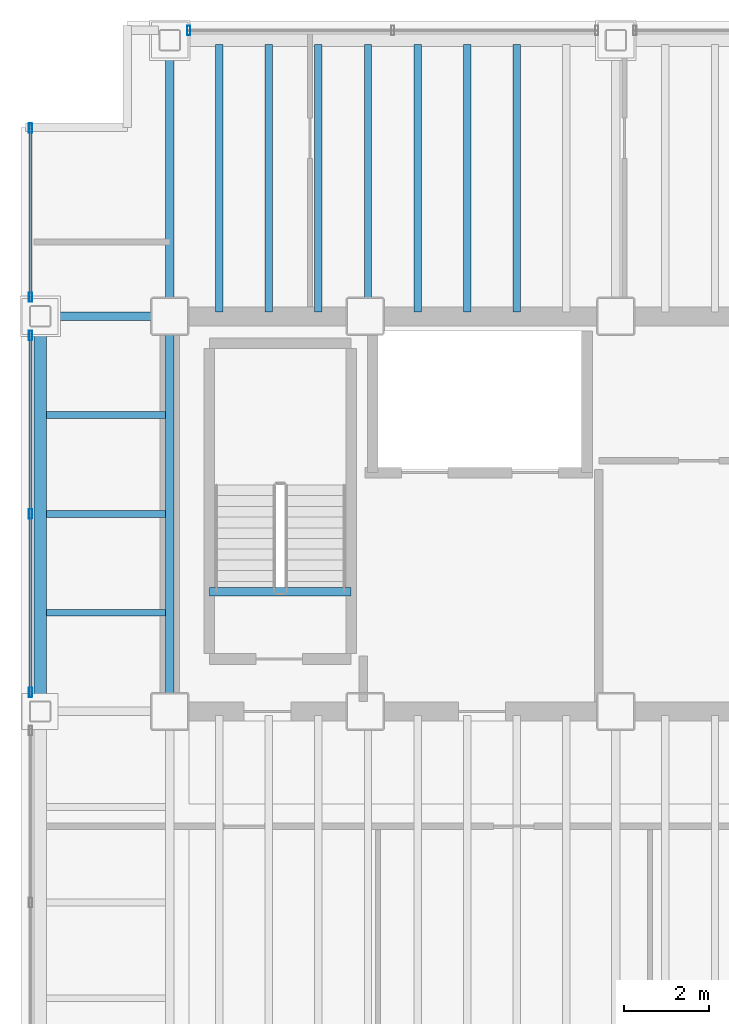
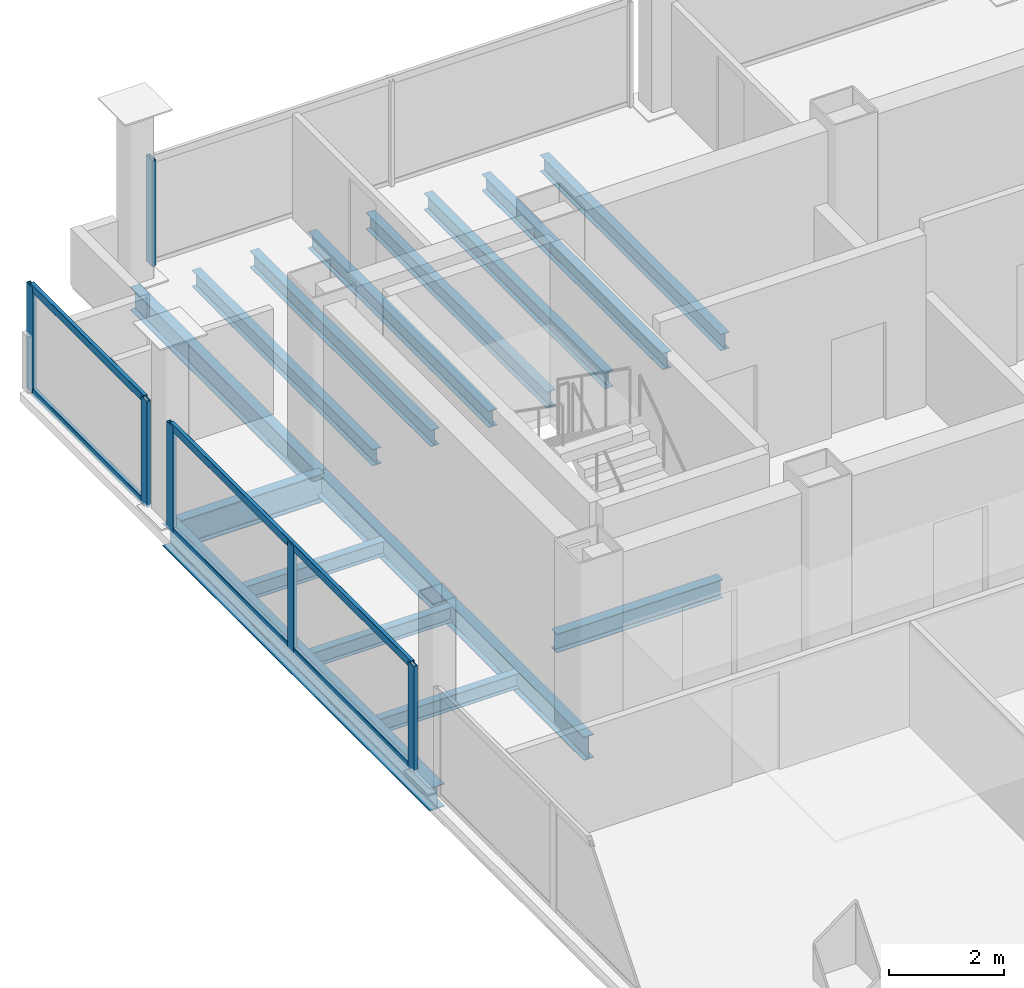
# One storey, part 6 of 16: 15 beams, 10 members, 3 elements without a shape of their own.
"""IFC4 building model written with IfcOpenShell, lengths in metres."""

from ifc_helpers import new_model, si_unit, direction, frame, origin, origin_2d, place, context, subcontext, project, spatial, hollow_rectangle, i_section, extrude, material, material_profile, profile_set, type_object, element, aggregate, save


model = new_model("IFC4")

# Units and contexts
model_context = context("Model", 3, precision=1e-05, world=origin(), true_north=direction((0.0, 1.0)))
body_context = subcontext(model_context, "Body", "Model", "MODEL_VIEW")
ifc_project = project(units=[si_unit("LENGTHUNIT", "METRE"), si_unit("AREAUNIT", "SQUARE_METRE"), si_unit("VOLUMEUNIT", "CUBIC_METRE"), si_unit("PLANEANGLEUNIT", "RADIAN"), si_unit("MASSUNIT", "GRAM", prefix="KILO")], contexts=[model_context])

# Site, building, storey
site_placement = place(None, origin())
site = spatial("IfcSite", under=ifc_project, at=site_placement, CompositionType="ELEMENT")
building_placement = place(site_placement, origin())
building = spatial("IfcBuilding", under=site, at=building_placement, Name="Noeulbin Bourse Tower", CompositionType="ELEMENT")
storey_placement = place(building_placement, frame((0.0, 0.0, 192.89990234375)))
storey = spatial("IfcBuildingStorey", under=building, at=storey_placement, Name="L48", CompositionType="ELEMENT", Elevation=192.89990234375)

# Beams
ifc_material_1 = material(Name="Steel S355", Category="steel")
ifc_material_profile_1 = material_profile(ifc_material_1, i_section(OverallWidth=0.199951171875, OverallDepth=0.5, WebThickness=0.010009765625, FlangeThickness=0.01611328125, FilletRadius=0.02001953125, at=origin_2d()), Name="H-500x200x10x16", Category="LoadBearing")
ifc_profile_set_1 = profile_set([ifc_material_profile_1], Name="Steel S355")
beam_type_1 = type_object("IfcBeamType", Name="BM-GRD-500", PredefinedType="USERDEFINED", material=ifc_profile_set_1)
beam_1_placement = place(storey_placement, frame((13.5, 29.0, -0.429931640625), z_axis=(0.0, 1.0, 0.0), x_axis=(-1.0, 0.0, 0.0)))
element("IfcBeam", 1, at=beam_1_placement, inside=storey, type_object=beam_type_1, Name="Tower Primary Girder NS L48-1.3", ObjectType="GIRDER", PredefinedType="USERDEFINED", context=body_context, shape_type="SweptSolid", body=[
    extrude(i_section(OverallWidth=0.199951171875, OverallDepth=0.5, WebThickness=0.010009765625, FlangeThickness=0.01611328125, FilletRadius=0.02001953125, at=origin_2d()), origin(), (0.0, 0.0, 1.0), 9.300048828125),
])
beam_2_placement = place(storey_placement, frame((13.5, 38.300048828125, -0.429931640625), z_axis=(0.0, 1.0, 0.0), x_axis=(-1.0, 0.0, 0.0)))
element("IfcBeam", 2, at=beam_2_placement, inside=storey, type_object=beam_type_1, Name="Tower Primary Girder NS L48-1.4", ObjectType="GIRDER", PredefinedType="USERDEFINED", context=body_context, shape_type="SweptSolid", body=[
    extrude(i_section(OverallWidth=0.199951171875, OverallDepth=0.5, WebThickness=0.010009765625, FlangeThickness=0.01611328125, FilletRadius=0.02001953125, at=origin_2d()), origin(), (0.0, 0.0, 1.0), 6.5),
])
ifc_material_profile_2 = material_profile(ifc_material_1, i_section(OverallWidth=0.199951171875, OverallDepth=0.60009765625, WebThickness=0.010986328125, FlangeThickness=0.01708984375, FilletRadius=0.02197265625, at=origin_2d()), Name="H-600x200x11x17", Category="LoadBearing")
ifc_profile_set_2 = profile_set([ifc_material_profile_2], Name="Steel S355")
beam_type_2 = type_object("IfcBeamType", Name="BM-GRD-600", PredefinedType="USERDEFINED", material=ifc_profile_set_2)
beam_3_placement = place(storey_placement, frame((10.449951171875, 38.300048828125, -0.47998046875), z_axis=(1.0, 0.0, 0.0), x_axis=(0.0, 1.0, 0.0)))
element("IfcBeam", 3, at=beam_3_placement, inside=storey, type_object=beam_type_2, Name="Tower Primary Girder EW L48-3.1", ObjectType="GIRDER", PredefinedType="USERDEFINED", context=body_context, shape_type="SweptSolid", body=[
    extrude(i_section(OverallWidth=0.199951171875, OverallDepth=0.60009765625, WebThickness=0.010986328125, FlangeThickness=0.01708984375, FilletRadius=0.02197265625, at=origin_2d()), origin(), (0.0, 0.0, 1.0), 3.050048828125),
])
ifc_material_profile_3 = material_profile(ifc_material_1, i_section(OverallWidth=0.159912109375, OverallDepth=0.320068359375, WebThickness=0.006591796875, FlangeThickness=0.010009765625, FilletRadius=0.012939453125, at=origin_2d()), Name="H-320x160x6.5x10", Category="LoadBearing")
ifc_profile_set_3 = profile_set([ifc_material_profile_3], Name="Steel S355")
beam_type_3 = type_object("IfcBeamType", Name="BM-JST-320", PredefinedType="JOIST", material=ifc_profile_set_3)
for number, where, z_axis, x_axis, name in (
    (4, (10.60009765625, 31.324951171875, -0.33984375), (1.0, 0.0, 0.0), (0.0, 1.0, 0.0), "Wing Composite Joist L48-W70"),
    (5, (10.60009765625, 33.64990234375, -0.33984375), (1.0, 0.0, 0.0), (0.0, 1.0, 0.0), "Wing Composite Joist L48-W71"),
    (6, (10.60009765625, 35.97509765625, -0.33984375), (1.0, 0.0, 0.0), (0.0, 1.0, 0.0), "Wing Composite Joist L48-W72"),
):
    element("IfcBeam", number, at=place(storey_placement, frame(where, z_axis=z_axis, x_axis=x_axis)), inside=storey, type_object=beam_type_3, Name=name, PredefinedType="JOIST", context=body_context, shape_type="SweptSolid", body=[
        extrude(i_section(OverallWidth=0.159912109375, OverallDepth=0.320068359375, WebThickness=0.006591796875, FlangeThickness=0.010009765625, FilletRadius=0.012939453125, at=origin_2d()), origin(), (0.0, 0.0, 1.0), 2.7998046875),
    ])
ifc_material_profile_4 = material_profile(ifc_material_1, i_section(OverallWidth=0.175048828125, OverallDepth=0.35009765625, WebThickness=0.007080078125, FlangeThickness=0.010986328125, FilletRadius=0.013916015625, at=origin_2d()), Name="H-350x175x7x11", Category="LoadBearing")
ifc_profile_set_4 = profile_set([ifc_material_profile_4], Name="Steel S355")
beam_type_4 = type_object("IfcBeamType", Name="BM-JST-350", PredefinedType="JOIST", material=ifc_profile_set_4)
for number, where, z_axis, x_axis, name in (
    (7, (14.666748046875, 38.39990234375, -0.35498046875), (0.0, 1.0, 0.0), (-1.0, 0.0, 0.0), "Tower Composite Joist L48-03"),
    (8, (15.833251953125, 38.39990234375, -0.35498046875), (0.0, 1.0, 0.0), (-1.0, 0.0, 0.0), "Tower Composite Joist L48-06"),
    (9, (17.0, 38.39990234375, -0.35498046875), (0.0, 1.0, 0.0), (-1.0, 0.0, 0.0), "Tower Composite Joist L48-09"),
    (10, (18.166748046875, 38.39990234375, -0.35498046875), (0.0, 1.0, 0.0), (-1.0, 0.0, 0.0), "Tower Composite Joist L48-12"),
    (11, (19.333251953125, 38.39990234375, -0.35498046875), (0.0, 1.0, 0.0), (-1.0, 0.0, 0.0), "Tower Composite Joist L48-15"),
    (12, (20.5, 38.39990234375, -0.35498046875), (0.0, 1.0, 0.0), (-1.0, 0.0, 0.0), "Tower Composite Joist L48-18"),
    (13, (21.666748046875, 38.39990234375, -0.35498046875), (0.0, 1.0, 0.0), (-1.0, 0.0, 0.0), "Tower Composite Joist L48-21"),
):
    element("IfcBeam", number, at=place(storey_placement, frame(where, z_axis=z_axis, x_axis=x_axis)), inside=storey, type_object=beam_type_4, Name=name, PredefinedType="JOIST", context=body_context, shape_type="SweptSolid", body=[
        extrude(i_section(OverallWidth=0.175048828125, OverallDepth=0.35009765625, WebThickness=0.007080078125, FlangeThickness=0.010986328125, FilletRadius=0.013916015625, at=origin_2d()), origin(), (0.0, 0.0, 1.0), 6.300048828125),
    ])
ifc_material_profile_5 = material_profile(ifc_material_1, i_section(OverallWidth=0.199951171875, OverallDepth=0.39990234375, WebThickness=0.008056640625, FlangeThickness=0.012939453125, FilletRadius=0.01611328125, at=origin_2d()), Name="H-400x200x8x13", Category="LoadBearing")
ifc_profile_set_5 = profile_set([ifc_material_profile_5], Name="Steel S355")
beam_type_5 = type_object("IfcBeamType", Name="BM-SEC-400", PredefinedType="BEAM", material=ifc_profile_set_5)
beam_4_placement = place(storey_placement, frame((14.429931640625, 31.820068359375, -0.199951171875), z_axis=(1.0, 0.0, 0.0), x_axis=(0.0, 1.0, 0.0)))
element("IfcBeam", 14, at=beam_4_placement, inside=storey, type_object=beam_type_5, Name="Stair Threshold Trimmer Beam ST1-L48", PredefinedType="BEAM", context=body_context, shape_type="SweptSolid", body=[
    extrude(i_section(OverallWidth=0.199951171875, OverallDepth=0.39990234375, WebThickness=0.008056640625, FlangeThickness=0.012939453125, FilletRadius=0.01611328125, at=origin_2d()), origin(), (0.0, 0.0, 1.0), 3.340087890625),
])
ifc_material_profile_6 = material_profile(ifc_material_1, i_section(OverallWidth=0.300048828125, OverallDepth=0.488037109375, WebThickness=0.010986328125, FlangeThickness=0.01806640625, FilletRadius=0.02197265625, at=origin_2d()), Name="H-488x300x11x18", Category="LoadBearing")
ifc_profile_set_6 = profile_set([ifc_material_profile_6], Name="Steel S355")
beam_type_6 = type_object("IfcBeamType", Name="BM-SPN-488", PredefinedType="SPANDREL", material=ifc_profile_set_6)
beam_5_placement = place(storey_placement, frame((10.449951171875, 29.0, -0.423828125), z_axis=(0.0, 1.0, 0.0), x_axis=(-1.0, 0.0, 0.0)))
element("IfcBeam", 15, at=beam_5_placement, inside=storey, type_object=beam_type_6, Name="West Spandrel L48-2", PredefinedType="SPANDREL", context=body_context, shape_type="SweptSolid", body=[
    extrude(i_section(OverallWidth=0.300048828125, OverallDepth=0.488037109375, WebThickness=0.010986328125, FlangeThickness=0.01806640625, FilletRadius=0.02197265625, at=origin_2d()), origin(), (0.0, 0.0, 1.0), 9.300048828125),
])

# Curtain wall, member
ifc_material_2 = material(Name="Dark Tinted Triple Glazing", Category="glass")
curtain_wall_type = type_object("IfcCurtainWallType", Name="CW-SYS-3", PredefinedType="NOTDEFINED", material=ifc_material_2)
curtain_wall_1_placement = place(storey_placement, origin())
curtain_wall_1 = element("IfcCurtainWall", 16, at=curtain_wall_1_placement, inside=storey, type_object=curtain_wall_type, Name="Unitised Curtain Wall CW-L48-N-S1", PredefinedType="NOTDEFINED")
ifc_material_3 = material(Name="Anodised Aluminium 6063-T6", Category="aluminium")
ifc_material_profile_7 = material_profile(ifc_material_3, hollow_rectangle(XDim=0.074951171875, YDim=0.219970703125, WallThickness=0.0048828125, InnerFilletRadius=0.00244140625, OuterFilletRadius=0.0048828125, at=origin_2d()), Name="ALU-MULL-75x220x5", Category="LoadBearing")
ifc_profile_set_7 = profile_set([ifc_material_profile_7], Name="Anodised Aluminium 6063-T6")
member_type_1 = type_object("IfcMemberType", Name="CW-SYS-3-MUL", PredefinedType="MULLION", material=ifc_profile_set_7)
member_1_placement = place(storey_placement, frame((13.949951171875, 45.030029296875, -0.02001953125), z_axis=(0.0, 0.0, 1.0), x_axis=(1.0, 0.0, 0.0)))
member_1 = element("IfcMember", 17, at=member_1_placement, type_object=member_type_1, Name="Curtain Wall Mullion CW-L48-N-S1-M00", PredefinedType="MULLION", context=body_context, shape_type="SweptSolid", body=[
    extrude(hollow_rectangle(XDim=0.074951171875, YDim=0.219970703125, WallThickness=0.0048828125, InnerFilletRadius=0.00244140625, OuterFilletRadius=0.0048828125, at=origin_2d()), origin(), (0.0, 0.0, 1.0), 2.260009765625),
])
aggregate(curtain_wall_1, [member_1])

# Curtain wall, members
curtain_wall_2_placement = place(storey_placement, origin())
curtain_wall_2 = element("IfcCurtainWall", 18, at=curtain_wall_2_placement, inside=storey, type_object=curtain_wall_type, Name="Unitised Curtain Wall CW-L48-W-S2", PredefinedType="NOTDEFINED")
member_2_placement = place(storey_placement, frame((10.219970703125, 29.449951171875, -0.02001953125), z_axis=(0.0, 0.0, 1.0), x_axis=(1.0, 0.0, 0.0)))
member_2 = element("IfcMember", 19, at=member_2_placement, type_object=member_type_1, Name="Curtain Wall Mullion CW-L48-W-S2-M00", PredefinedType="MULLION", context=body_context, shape_type="SweptSolid", body=[
    extrude(hollow_rectangle(XDim=0.074951171875, YDim=0.219970703125, WallThickness=0.0048828125, InnerFilletRadius=0.00244140625, OuterFilletRadius=0.0048828125, at=origin_2d()), origin(), (0.0, 0.0, 1.0), 2.260009765625),
])
member_3_placement = place(storey_placement, frame((10.219970703125, 33.64990234375, -0.02001953125), z_axis=(0.0, 0.0, 1.0), x_axis=(1.0, 0.0, 0.0)))
member_3 = element("IfcMember", 20, at=member_3_placement, type_object=member_type_1, Name="Curtain Wall Mullion CW-L48-W-S2-M01", PredefinedType="MULLION", context=body_context, shape_type="SweptSolid", body=[
    extrude(hollow_rectangle(XDim=0.074951171875, YDim=0.219970703125, WallThickness=0.0048828125, InnerFilletRadius=0.00244140625, OuterFilletRadius=0.0048828125, at=origin_2d()), origin(), (0.0, 0.0, 1.0), 2.260009765625),
])
member_4_placement = place(storey_placement, frame((10.219970703125, 37.85009765625, -0.02001953125), z_axis=(0.0, 0.0, 1.0), x_axis=(1.0, 0.0, 0.0)))
member_4 = element("IfcMember", 21, at=member_4_placement, type_object=member_type_1, Name="Curtain Wall Mullion CW-L48-W-S2-M02", PredefinedType="MULLION", context=body_context, shape_type="SweptSolid", body=[
    extrude(hollow_rectangle(XDim=0.074951171875, YDim=0.219970703125, WallThickness=0.0048828125, InnerFilletRadius=0.00244140625, OuterFilletRadius=0.0048828125, at=origin_2d()), origin(), (0.0, 0.0, 1.0), 2.260009765625),
])

curtain_wall_3_placement = place(storey_placement, origin())
curtain_wall_3 = element("IfcCurtainWall", 22, at=curtain_wall_3_placement, inside=storey, type_object=curtain_wall_type, Name="Unitised Curtain Wall CW-L48-W-S3", PredefinedType="NOTDEFINED")
member_5_placement = place(storey_placement, frame((10.219970703125, 38.75, -0.02001953125), z_axis=(0.0, 0.0, 1.0), x_axis=(1.0, 0.0, 0.0)))
member_5 = element("IfcMember", 23, at=member_5_placement, type_object=member_type_1, Name="Curtain Wall Mullion CW-L48-W-S3-M00", PredefinedType="MULLION", context=body_context, shape_type="SweptSolid", body=[
    extrude(hollow_rectangle(XDim=0.074951171875, YDim=0.219970703125, WallThickness=0.0048828125, InnerFilletRadius=0.00244140625, OuterFilletRadius=0.0048828125, at=origin_2d()), origin(), (0.0, 0.0, 1.0), 2.260009765625),
])
member_6_placement = place(storey_placement, frame((10.219970703125, 42.72998046875, -0.02001953125), z_axis=(0.0, 0.0, 1.0), x_axis=(1.0, 0.0, 0.0)))
member_6 = element("IfcMember", 24, at=member_6_placement, type_object=member_type_1, Name="Curtain Wall Mullion CW-L48-W-S3-M01", PredefinedType="MULLION", context=body_context, shape_type="SweptSolid", body=[
    extrude(hollow_rectangle(XDim=0.074951171875, YDim=0.219970703125, WallThickness=0.0048828125, InnerFilletRadius=0.00244140625, OuterFilletRadius=0.0048828125, at=origin_2d()), origin(), (0.0, 0.0, 1.0), 2.260009765625),
])

# Member
ifc_material_profile_8 = material_profile(ifc_material_3, hollow_rectangle(XDim=0.074951171875, YDim=0.159912109375, WallThickness=0.0048828125, InnerFilletRadius=0.00244140625, OuterFilletRadius=0.0048828125, at=origin_2d()), Name="ALU-TRAN-75x160x5", Category="LoadBearing")
ifc_profile_set_8 = profile_set([ifc_material_profile_8], Name="Anodised Aluminium 6063-T6")
member_type_2 = type_object("IfcMemberType", Name="CW-SYS-3-TRN", PredefinedType="USERDEFINED", material=ifc_profile_set_8)
member_7_placement = place(storey_placement, frame((10.219970703125, 29.4599609375, 0.010009765625), z_axis=(0.0, 1.0, 0.0), x_axis=(-1.0, 0.0, 0.0)))
member_7 = element("IfcMember", 25, at=member_7_placement, type_object=member_type_2, Name="Curtain Wall Transom CW-L48-W-S2-T00", ObjectType="TRANSOM", PredefinedType="USERDEFINED", context=body_context, shape_type="SweptSolid", body=[
    extrude(hollow_rectangle(XDim=0.074951171875, YDim=0.159912109375, WallThickness=0.0048828125, InnerFilletRadius=0.00244140625, OuterFilletRadius=0.0048828125, at=origin_2d()), origin(), (0.0, 0.0, 1.0), 8.380126953125),
])

member_8_placement = place(storey_placement, frame((10.219970703125, 29.4599609375, 2.210205078125), z_axis=(0.0, 1.0, 0.0), x_axis=(-1.0, 0.0, 0.0)))
member_8 = element("IfcMember", 26, at=member_8_placement, type_object=member_type_2, Name="Curtain Wall Transom CW-L48-W-S2-T01", ObjectType="TRANSOM", PredefinedType="USERDEFINED", context=body_context, shape_type="SweptSolid", body=[
    extrude(hollow_rectangle(XDim=0.074951171875, YDim=0.159912109375, WallThickness=0.0048828125, InnerFilletRadius=0.00244140625, OuterFilletRadius=0.0048828125, at=origin_2d()), origin(), (0.0, 0.0, 1.0), 8.380126953125),
])

aggregate(curtain_wall_2, [member_2, member_3, member_4, member_7, member_8])

member_9_placement = place(storey_placement, frame((10.219970703125, 38.760009765625, 0.010009765625), z_axis=(0.0, 1.0, 0.0), x_axis=(-1.0, 0.0, 0.0)))
member_9 = element("IfcMember", 27, at=member_9_placement, type_object=member_type_2, Name="Curtain Wall Transom CW-L48-W-S3-T00", ObjectType="TRANSOM", PredefinedType="USERDEFINED", context=body_context, shape_type="SweptSolid", body=[
    extrude(hollow_rectangle(XDim=0.074951171875, YDim=0.159912109375, WallThickness=0.0048828125, InnerFilletRadius=0.00244140625, OuterFilletRadius=0.0048828125, at=origin_2d()), origin(), (0.0, 0.0, 1.0), 3.9599609375),
])

member_10_placement = place(storey_placement, frame((10.219970703125, 38.760009765625, 2.210205078125), z_axis=(0.0, 1.0, 0.0), x_axis=(-1.0, 0.0, 0.0)))
member_10 = element("IfcMember", 28, at=member_10_placement, type_object=member_type_2, Name="Curtain Wall Transom CW-L48-W-S3-T01", ObjectType="TRANSOM", PredefinedType="USERDEFINED", context=body_context, shape_type="SweptSolid", body=[
    extrude(hollow_rectangle(XDim=0.074951171875, YDim=0.159912109375, WallThickness=0.0048828125, InnerFilletRadius=0.00244140625, OuterFilletRadius=0.0048828125, at=origin_2d()), origin(), (0.0, 0.0, 1.0), 3.9599609375),
])

aggregate(curtain_wall_3, [member_5, member_6, member_9, member_10])

save(model, "model.ifc")
